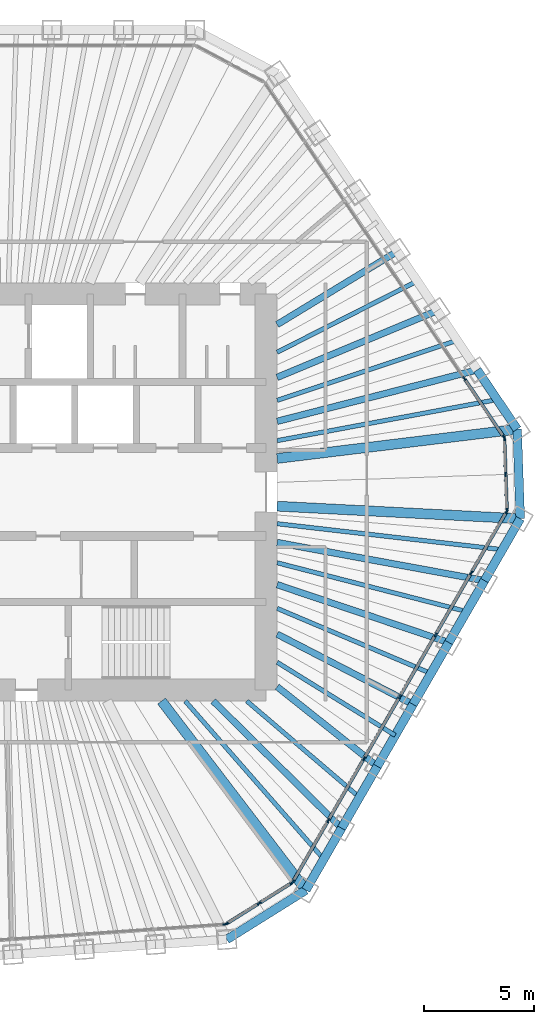
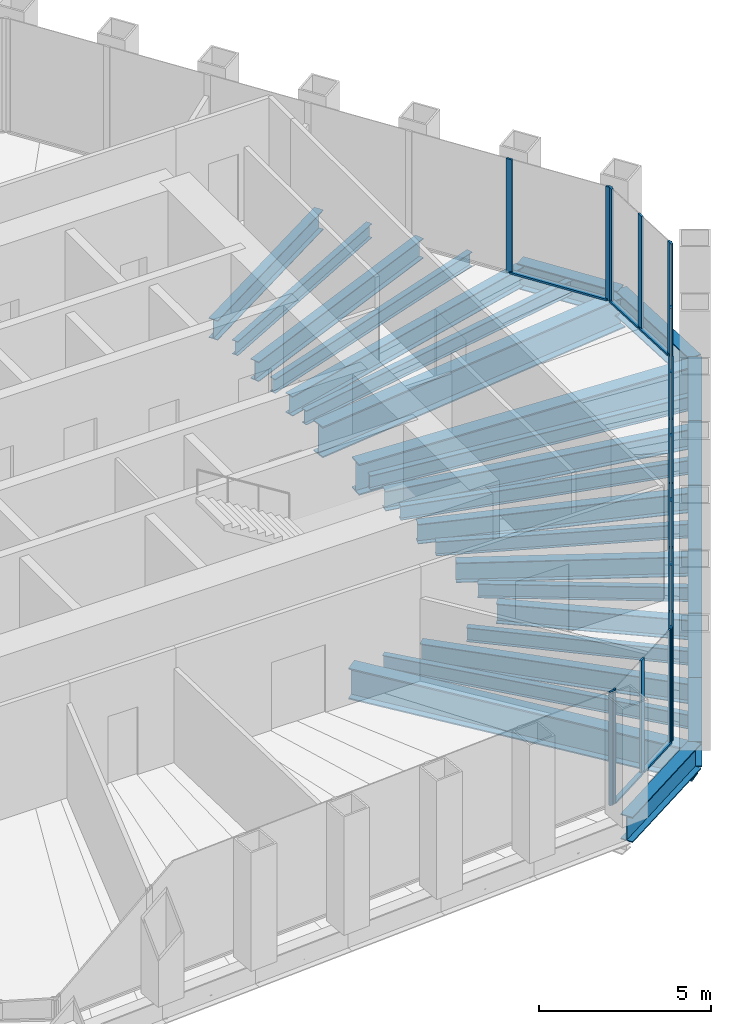
# One storey, part 5 of 14: 29 beams, 27 members, 5 elements without a shape of their own.
"""IFC4 building model written with IfcOpenShell, lengths in metres."""

from ifc_helpers import new_model, si_unit, direction, frame, origin, origin_2d, place, context, subcontext, project, spatial, rectangle, i_section, extrude, material, material_profile, profile_set, type_object, element, aggregate, save


model = new_model("IFC4")

# Units and contexts
model_context = context("Model", 3, precision=1e-05, world=origin(), true_north=direction((0.0, 1.0)))
body_context = subcontext(model_context, "Body", "Model", "MODEL_VIEW")
ifc_project = project(units=[si_unit("LENGTHUNIT", "METRE"), si_unit("AREAUNIT", "SQUARE_METRE"), si_unit("VOLUMEUNIT", "CUBIC_METRE"), si_unit("PLANEANGLEUNIT", "RADIAN"), si_unit("MASSUNIT", "GRAM", prefix="KILO")], contexts=[model_context])

# Site, building, storey
site_placement = place(None, origin())
site = spatial("IfcSite", under=ifc_project, at=site_placement, CompositionType="ELEMENT")
building_placement = place(site_placement, origin())
building = spatial("IfcBuilding", under=site, at=building_placement, Name="Qingtian Harvest Tower", CompositionType="ELEMENT")
storey_placement = place(building_placement, frame((0.0, 0.0, 291.39990234375)))
storey = spatial("IfcBuildingStorey", under=building, at=storey_placement, Name="L64", CompositionType="ELEMENT", Elevation=291.39990234375)

# Beams
ifc_material_1 = material(Name="Steel SM570MC", Category="steel")
ifc_material_profile_1 = material_profile(ifc_material_1, i_section(OverallWidth=0.449951171875, OverallDepth=1.10009765625, WebThickness=0.02197265625, FlangeThickness=0.044921875, at=origin_2d()), Name="H1100x450x22x45")
ifc_profile_set_1 = profile_set([ifc_material_profile_1], Name="Steel SM570MC")
beam_type_1 = type_object("IfcBeamType", Name="Corner floor beam FB8 H1100x450x22x45", PredefinedType="BEAM", material=ifc_profile_set_1)
beam_1_placement = place(storey_placement, frame((23.405517578125, 2.85400390625, -0.719970703125), z_axis=(-0.99264704984, -0.12104476215, 0.0), x_axis=(0.12104476215, -0.99264704984, 0.0)))
element("IfcBeam", 1, at=beam_1_placement, inside=storey, type_object=beam_type_1, Name="Floor beam FB8 NE6", PredefinedType="BEAM", context=body_context, shape_type="SweptSolid", body=[
    extrude(i_section(OverallWidth=0.449951171875, OverallDepth=1.10009765625, WebThickness=0.02197265625, FlangeThickness=0.044921875, at=origin_2d()), origin(), (0.0, 0.0, 1.0), 10.986328125),
])
beam_2_placement = place(storey_placement, frame((23.547607421875, -1.21435546875, -0.719970703125), z_axis=(-0.998672453152, 0.051510497131, 0.0), x_axis=(-0.051510497131, -0.998672453152, 0.0)))
element("IfcBeam", 2, at=beam_2_placement, inside=storey, type_object=beam_type_1, Name="Floor beam FB8 SE0", PredefinedType="BEAM", context=body_context, shape_type="SweptSolid", body=[
    extrude(i_section(OverallWidth=0.449951171875, OverallDepth=1.10009765625, WebThickness=0.02197265625, FlangeThickness=0.044921875, at=origin_2d()), origin(), (0.0, 0.0, 1.0), 11.062255859375),
])
beam_3_placement = place(storey_placement, frame((13.803466796875, -18.091552734375, -0.719970703125), z_axis=(-0.60658352266, 0.795019767073, 0.0), x_axis=(-0.795019767073, -0.60658352266, 0.0)))
element("IfcBeam", 3, at=beam_3_placement, inside=storey, type_object=beam_type_1, Name="Floor beam FB8 SE6", PredefinedType="BEAM", context=body_context, shape_type="SweptSolid", body=[
    extrude(i_section(OverallWidth=0.449951171875, OverallDepth=1.10009765625, WebThickness=0.02197265625, FlangeThickness=0.044921875, at=origin_2d()), origin(), (0.0, 0.0, 1.0), 10.806640625),
])
ifc_material_2 = material(Name="Steel SN490B", Category="steel")
ifc_material_profile_2 = material_profile(ifc_material_2, i_section(OverallWidth=0.300048828125, OverallDepth=0.699951171875, WebThickness=0.012939453125, FlangeThickness=0.02392578125, at=origin_2d()), Name="H700x300x13x24")
ifc_profile_set_2 = profile_set([ifc_material_profile_2], Name="Steel SN490B")
beam_type_2 = type_object("IfcBeamType", Name="Floor beam FB4 H700x300x13x24", PredefinedType="BEAM", material=ifc_profile_set_2)
beam_4_placement = place(storey_placement, frame((17.956787109375, 10.93212890625, -0.52001953125), z_axis=(-0.854163869478, -0.520003926983, 0.0), x_axis=(0.520003926983, -0.854163869478, 0.0)))
element("IfcBeam", 4, at=beam_4_placement, inside=storey, type_object=beam_type_2, Name="Floor beam FB4 NE3", PredefinedType="BEAM", context=body_context, shape_type="SweptSolid", body=[
    extrude(i_section(OverallWidth=0.300048828125, OverallDepth=0.699951171875, WebThickness=0.012939453125, FlangeThickness=0.02392578125, at=origin_2d()), origin(), (0.0, 0.0, 1.0), 6.388427734375),
])
beam_5_placement = place(storey_placement, frame((19.77294921875, 8.2392578125, -0.52001953125), z_axis=(-0.923071422518, -0.38462858569, 0.0), x_axis=(0.38462858569, -0.923071422518, 0.0)))
element("IfcBeam", 5, at=beam_5_placement, inside=storey, type_object=beam_type_2, Name="Floor beam FB4 NE4", PredefinedType="BEAM", context=body_context, shape_type="SweptSolid", body=[
    extrude(i_section(OverallWidth=0.300048828125, OverallDepth=0.699951171875, WebThickness=0.012939453125, FlangeThickness=0.02392578125, at=origin_2d()), origin(), (0.0, 0.0, 1.0), 7.879150390625),
])
beam_6_placement = place(storey_placement, frame((21.58935546875, 5.546630859375, -0.52001953125), z_axis=(-0.968545797703, -0.248835362746, 0.0), x_axis=(0.248835362746, -0.968545797703, 0.0)))
element("IfcBeam", 6, at=beam_6_placement, inside=storey, type_object=beam_type_2, Name="Floor beam FB4 NE5", PredefinedType="BEAM", context=body_context, shape_type="SweptSolid", body=[
    extrude(i_section(OverallWidth=0.300048828125, OverallDepth=0.699951171875, WebThickness=0.012939453125, FlangeThickness=0.02392578125, at=origin_2d()), origin(), (0.0, 0.0, 1.0), 9.384521484375),
])
beam_7_placement = place(storey_placement, frame((21.923583984375, -4.027099609375, -0.52001953125), z_axis=(-0.983545410638, 0.180661078303, 0.0), x_axis=(-0.180661078303, -0.983545410638, 0.0)))
element("IfcBeam", 7, at=beam_7_placement, inside=storey, type_object=beam_type_2, Name="Floor beam FB4 SE1", PredefinedType="BEAM", context=body_context, shape_type="SweptSolid", body=[
    extrude(i_section(OverallWidth=0.300048828125, OverallDepth=0.699951171875, WebThickness=0.012939453125, FlangeThickness=0.02392578125, at=origin_2d()), origin(), (0.0, 0.0, 1.0), 9.581298828125),
])
beam_8_placement = place(storey_placement, frame((20.299560546875, -6.840087890625, -0.52001953125), z_axis=(-0.947645968799, 0.319322905253, 0.0), x_axis=(-0.319322905253, -0.947645968799, 0.0)))
element("IfcBeam", 8, at=beam_8_placement, inside=storey, type_object=beam_type_2, Name="Floor beam FB4 SE2", PredefinedType="BEAM", context=body_context, shape_type="SweptSolid", body=[
    extrude(i_section(OverallWidth=0.300048828125, OverallDepth=0.699951171875, WebThickness=0.012939453125, FlangeThickness=0.02392578125, at=origin_2d()), origin(), (0.0, 0.0, 1.0), 8.23046875),
])
beam_9_placement = place(storey_placement, frame((18.675537109375, -9.65283203125, -0.52001953125), z_axis=(-0.888355479692, 0.459156336884, 0.0), x_axis=(-0.459156336884, -0.888355479692, 0.0)))
element("IfcBeam", 9, at=beam_9_placement, inside=storey, type_object=beam_type_2, Name="Floor beam FB4 SE3", PredefinedType="BEAM", context=body_context, shape_type="SweptSolid", body=[
    extrude(i_section(OverallWidth=0.300048828125, OverallDepth=0.699951171875, WebThickness=0.012939453125, FlangeThickness=0.02392578125, at=origin_2d()), origin(), (0.0, 0.0, 1.0), 6.95166015625),
])
beam_10_placement = place(storey_placement, frame((17.051513671875, -12.4658203125, -0.52001953125), z_axis=(-0.783003151269, 0.622017736968, 0.0), x_axis=(-0.622017736968, -0.783003151269, 0.0)))
element("IfcBeam", 10, at=beam_10_placement, inside=storey, type_object=beam_type_2, Name="Floor beam FB4 SE4", PredefinedType="BEAM", context=body_context, shape_type="SweptSolid", body=[
    extrude(i_section(OverallWidth=0.300048828125, OverallDepth=0.699951171875, WebThickness=0.012939453125, FlangeThickness=0.02392578125, at=origin_2d()), origin(), (0.0, 0.0, 1.0), 5.81298828125),
])
beam_11_placement = place(storey_placement, frame((15.427490234375, -15.278564453125, -0.52001953125), z_axis=(-0.710532187344, 0.703664700513, 0.0), x_axis=(-0.703664700513, -0.710532187344, 0.0)))
element("IfcBeam", 11, at=beam_11_placement, inside=storey, type_object=beam_type_2, Name="Floor beam FB4 SE5", PredefinedType="BEAM", context=body_context, shape_type="SweptSolid", body=[
    extrude(i_section(OverallWidth=0.300048828125, OverallDepth=0.699951171875, WebThickness=0.012939453125, FlangeThickness=0.02392578125, at=origin_2d()), origin(), (0.0, 0.0, 1.0), 8.212158203125),
])
ifc_material_3 = material(Name="Steel SN490B", Category="steel")
ifc_material_profile_3 = material_profile(ifc_material_3, i_section(OverallWidth=0.199951171875, OverallDepth=0.5, WebThickness=0.010009765625, FlangeThickness=0.01611328125, at=origin_2d()), Name="H500x200x10x16")
ifc_profile_set_3 = profile_set([ifc_material_profile_3], Name="Steel SN490B")
beam_type_3 = type_object("IfcBeamType", Name="Floor joist J3 H500x200x10x16", PredefinedType="JOIST", material=ifc_profile_set_3)
beam_12_placement = place(storey_placement, frame((18.864990234375, 9.585693359375, -0.419921875), z_axis=(-0.891515522375, -0.452990147094, 0.0), x_axis=(0.452990147094, -0.891515522375, 0.0)))
element("IfcBeam", 12, at=beam_12_placement, inside=storey, type_object=beam_type_3, Name="Floor joist J3 NE3", PredefinedType="JOIST", context=body_context, shape_type="SweptSolid", body=[
    extrude(i_section(OverallWidth=0.199951171875, OverallDepth=0.5, WebThickness=0.010009765625, FlangeThickness=0.01611328125, at=origin_2d()), origin(), (0.0, 0.0, 1.0), 7.139404296875),
])
beam_13_placement = place(storey_placement, frame((20.68115234375, 6.89306640625, -0.419921875), z_axis=(-0.94869179092, -0.316202286267, 0.0), x_axis=(0.316202286267, -0.94869179092, 0.0)))
element("IfcBeam", 13, at=beam_13_placement, inside=storey, type_object=beam_type_3, Name="Floor joist J3 NE4", PredefinedType="JOIST", context=body_context, shape_type="SweptSolid", body=[
    extrude(i_section(OverallWidth=0.199951171875, OverallDepth=0.5, WebThickness=0.010009765625, FlangeThickness=0.01611328125, at=origin_2d()), origin(), (0.0, 0.0, 1.0), 8.62353515625),
])
beam_14_placement = place(storey_placement, frame((22.49755859375, 4.2001953125, -0.419921875), z_axis=(-0.983015918388, -0.183520310038, 0.0), x_axis=(0.183520310038, -0.983015918388, 0.0)))
element("IfcBeam", 14, at=beam_14_placement, inside=storey, type_object=beam_type_3, Name="Floor joist J3 NE5", PredefinedType="JOIST", context=body_context, shape_type="SweptSolid", body=[
    extrude(i_section(OverallWidth=0.199951171875, OverallDepth=0.5, WebThickness=0.010009765625, FlangeThickness=0.01611328125, at=origin_2d()), origin(), (0.0, 0.0, 1.0), 10.17041015625),
])
beam_15_placement = place(storey_placement, frame((22.735595703125, -2.62060546875, -0.419921875), z_axis=(-0.993423767351, 0.114495495381, 0.0), x_axis=(-0.114495495381, -0.993423767351, 0.0)))
element("IfcBeam", 15, at=beam_15_placement, inside=storey, type_object=beam_type_3, Name="Floor joist J3 SE0", PredefinedType="JOIST", context=body_context, shape_type="SweptSolid", body=[
    extrude(i_section(OverallWidth=0.199951171875, OverallDepth=0.5, WebThickness=0.010009765625, FlangeThickness=0.01611328125, at=origin_2d()), origin(), (0.0, 0.0, 1.0), 10.303466796875),
])
beam_16_placement = place(storey_placement, frame((21.111572265625, -5.43359375, -0.419921875), z_axis=(-0.968434631662, 0.249267655738, 0.0), x_axis=(-0.249267655738, -0.968434631662, 0.0)))
element("IfcBeam", 16, at=beam_16_placement, inside=storey, type_object=beam_type_3, Name="Floor joist J3 SE1", PredefinedType="JOIST", context=body_context, shape_type="SweptSolid", body=[
    extrude(i_section(OverallWidth=0.199951171875, OverallDepth=0.5, WebThickness=0.010009765625, FlangeThickness=0.01611328125, at=origin_2d()), origin(), (0.0, 0.0, 1.0), 8.892333984375),
])
beam_17_placement = place(storey_placement, frame((19.487548828125, -8.246337890625, -0.419921875), z_axis=(-0.920942823677, 0.389697723265, 0.0), x_axis=(-0.389697723265, -0.920942823677, 0.0)))
element("IfcBeam", 17, at=beam_17_placement, inside=storey, type_object=beam_type_3, Name="Floor joist J3 SE2", PredefinedType="JOIST", context=body_context, shape_type="SweptSolid", body=[
    extrude(i_section(OverallWidth=0.199951171875, OverallDepth=0.5, WebThickness=0.010009765625, FlangeThickness=0.01611328125, at=origin_2d()), origin(), (0.0, 0.0, 1.0), 7.58740234375),
])
beam_18_placement = place(storey_placement, frame((17.863525390625, -11.059326171875, -0.419921875), z_axis=(-0.850245350939, 0.52638659102, 0.0), x_axis=(-0.52638659102, -0.850245350939, 0.0)))
element("IfcBeam", 18, at=beam_18_placement, inside=storey, type_object=beam_type_3, Name="Floor joist J3 SE3", PredefinedType="JOIST", context=body_context, shape_type="SweptSolid", body=[
    extrude(i_section(OverallWidth=0.199951171875, OverallDepth=0.5, WebThickness=0.010009765625, FlangeThickness=0.01611328125, at=origin_2d()), origin(), (0.0, 0.0, 1.0), 6.30810546875),
])
beam_19_placement = place(storey_placement, frame((16.239501953125, -13.8720703125, -0.419921875), z_axis=(-0.760351288112, 0.649512061987, 0.0), x_axis=(-0.649512061987, -0.760351288112, 0.0)))
element("IfcBeam", 19, at=beam_19_placement, inside=storey, type_object=beam_type_3, Name="Floor joist J3 SE4", PredefinedType="JOIST", context=body_context, shape_type="SweptSolid", body=[
    extrude(i_section(OverallWidth=0.199951171875, OverallDepth=0.5, WebThickness=0.010009765625, FlangeThickness=0.01611328125, at=origin_2d()), origin(), (0.0, 0.0, 1.0), 6.731201171875),
])
beam_20_placement = place(storey_placement, frame((14.615478515625, -16.68505859375, -0.419921875), z_axis=(-0.658906232771, 0.752225083612, 0.0), x_axis=(-0.752225083612, -0.658906232771, 0.0)))
element("IfcBeam", 20, at=beam_20_placement, inside=storey, type_object=beam_type_3, Name="Floor joist J3 SE5", PredefinedType="JOIST", context=body_context, shape_type="SweptSolid", body=[
    extrude(i_section(OverallWidth=0.199951171875, OverallDepth=0.5, WebThickness=0.010009765625, FlangeThickness=0.01611328125, at=origin_2d()), origin(), (0.0, 0.0, 1.0), 9.5517578125),
])

# Curtain wall, members
ifc_material_4 = material(Name="Bronze-anodised aluminium curtain wall", Category="aluminium")
curtain_wall_type = type_object("IfcCurtainWallType", Name="Curtain wall CW5 upper office", PredefinedType="USERDEFINED", material=ifc_material_4)
curtain_wall_1_placement = place(storey_placement, origin())
curtain_wall_1 = element("IfcCurtainWall", 21, at=curtain_wall_1_placement, inside=storey, type_object=curtain_wall_type, Name="Curtain wall CW5 L64 NE0-5", ObjectType="RECESSED CURTAIN WALL", PredefinedType="USERDEFINED")
ifc_material_5 = material(Name="Bronze-anodised aluminium mullion", Category="aluminium")
ifc_material_profile_4 = material_profile(ifc_material_5, rectangle(XDim=0.06494140625, YDim=0.199951171875, at=origin_2d()), Name="AL 65x200")
ifc_profile_set_4 = profile_set([ifc_material_profile_4], Name="Bronze-anodised aluminium mullion")
member_type_1 = type_object("IfcMemberType", Name="Mullion CWM 65x200", PredefinedType="MULLION", material=ifc_profile_set_4)
member_1_placement = place(storey_placement, frame((21.009033203125, 5.1552734375, 0.0), z_axis=(0.0, 0.0, 1.0), x_axis=(0.829037572555, 0.559192903471, 0.0)))
member_1 = element("IfcMember", 22, at=member_1_placement, type_object=member_type_1, Name="CW5 mullion 6", PredefinedType="MULLION", context=body_context, shape_type="SweptSolid", body=[
    extrude(rectangle(XDim=0.06494140625, YDim=0.199951171875, at=origin_2d()), origin(), (0.0, 0.0, 1.0), 4.030029296875),
])
member_2_placement = place(storey_placement, frame((22.80712890625, 2.489501953125, 0.0), z_axis=(0.0, 0.0, 1.0), x_axis=(0.829037572555, 0.559192903471, 0.0)))
member_2 = element("IfcMember", 23, at=member_2_placement, type_object=member_type_1, Name="CW5 mullion 7", PredefinedType="MULLION", context=body_context, shape_type="SweptSolid", body=[
    extrude(rectangle(XDim=0.06494140625, YDim=0.199951171875, at=origin_2d()), origin(), (0.0, 0.0, 1.0), 4.030029296875),
])

curtain_wall_2_placement = place(storey_placement, origin())
curtain_wall_2 = element("IfcCurtainWall", 24, at=curtain_wall_2_placement, inside=storey, type_object=curtain_wall_type, Name="Curtain wall CW5 L64 NEC", ObjectType="RECESSED CURTAIN WALL", PredefinedType="USERDEFINED")
member_3_placement = place(storey_placement, frame((22.826416015625, 2.429931640625, 0.0), z_axis=(0.0, 0.0, 1.0), x_axis=(0.999390827019, 0.034899496703, 0.0)))
member_3 = element("IfcMember", 25, at=member_3_placement, type_object=member_type_1, Name="CW5 mullion 1", PredefinedType="MULLION", context=body_context, shape_type="SweptSolid", body=[
    extrude(rectangle(XDim=0.06494140625, YDim=0.199951171875, at=origin_2d()), origin(), (0.0, 0.0, 1.0), 4.030029296875),
])
member_4_placement = place(storey_placement, frame((22.88330078125, 0.799072265625, 0.0), z_axis=(0.0, 0.0, 1.0), x_axis=(0.999390827019, 0.034899496703, 0.0)))
member_4 = element("IfcMember", 26, at=member_4_placement, type_object=member_type_1, Name="CW5 mullion 2", PredefinedType="MULLION", context=body_context, shape_type="SweptSolid", body=[
    extrude(rectangle(XDim=0.06494140625, YDim=0.199951171875, at=origin_2d()), origin(), (0.0, 0.0, 1.0), 4.030029296875),
])
member_5_placement = place(storey_placement, frame((22.9404296875, -0.831787109375, 0.0), z_axis=(0.0, 0.0, 1.0), x_axis=(0.999390827019, 0.034899496703, 0.0)))
member_5 = element("IfcMember", 27, at=member_5_placement, type_object=member_type_1, Name="CW5 mullion 3", PredefinedType="MULLION", context=body_context, shape_type="SweptSolid", body=[
    extrude(rectangle(XDim=0.06494140625, YDim=0.199951171875, at=origin_2d()), origin(), (0.0, 0.0, 1.0), 4.030029296875),
])

curtain_wall_3_placement = place(storey_placement, origin())
curtain_wall_3 = element("IfcCurtainWall", 28, at=curtain_wall_3_placement, inside=storey, type_object=curtain_wall_type, Name="Curtain wall CW5 L64 SE0-5", ObjectType="RECESSED CURTAIN WALL", PredefinedType="USERDEFINED")
member_6_placement = place(storey_placement, frame((22.92529296875, -0.892333984375, 0.0), z_axis=(0.0, 0.0, 1.0), x_axis=(0.866025403784, -0.5, 0.0)))
member_6 = element("IfcMember", 29, at=member_6_placement, type_object=member_type_1, Name="CW5 mullion 1", PredefinedType="MULLION", context=body_context, shape_type="SweptSolid", body=[
    extrude(rectangle(XDim=0.06494140625, YDim=0.199951171875, at=origin_2d()), origin(), (0.0, 0.0, 1.0), 4.030029296875),
])
member_7_placement = place(storey_placement, frame((21.3173828125, -3.67724609375, 0.0), z_axis=(0.0, 0.0, 1.0), x_axis=(0.866025403784, -0.5, 0.0)))
member_7 = element("IfcMember", 30, at=member_7_placement, type_object=member_type_1, Name="CW5 mullion 2", PredefinedType="MULLION", context=body_context, shape_type="SweptSolid", body=[
    extrude(rectangle(XDim=0.06494140625, YDim=0.199951171875, at=origin_2d()), origin(), (0.0, 0.0, 1.0), 4.030029296875),
])
member_8_placement = place(storey_placement, frame((19.693359375, -6.489990234375, 0.0), z_axis=(0.0, 0.0, 1.0), x_axis=(0.866025403784, -0.5, 0.0)))
member_8 = element("IfcMember", 31, at=member_8_placement, type_object=member_type_1, Name="CW5 mullion 3", PredefinedType="MULLION", context=body_context, shape_type="SweptSolid", body=[
    extrude(rectangle(XDim=0.06494140625, YDim=0.199951171875, at=origin_2d()), origin(), (0.0, 0.0, 1.0), 4.030029296875),
])
member_9_placement = place(storey_placement, frame((18.0693359375, -9.302978515625, 0.0), z_axis=(0.0, 0.0, 1.0), x_axis=(0.866025403784, -0.5, 0.0)))
member_9 = element("IfcMember", 32, at=member_9_placement, type_object=member_type_1, Name="CW5 mullion 4", PredefinedType="MULLION", context=body_context, shape_type="SweptSolid", body=[
    extrude(rectangle(XDim=0.06494140625, YDim=0.199951171875, at=origin_2d()), origin(), (0.0, 0.0, 1.0), 4.030029296875),
])
member_10_placement = place(storey_placement, frame((16.4453125, -12.11572265625, 0.0), z_axis=(0.0, 0.0, 1.0), x_axis=(0.866025403784, -0.5, 0.0)))
member_10 = element("IfcMember", 33, at=member_10_placement, type_object=member_type_1, Name="CW5 mullion 5", PredefinedType="MULLION", context=body_context, shape_type="SweptSolid", body=[
    extrude(rectangle(XDim=0.06494140625, YDim=0.199951171875, at=origin_2d()), origin(), (0.0, 0.0, 1.0), 4.030029296875),
])
member_11_placement = place(storey_placement, frame((14.8212890625, -14.9287109375, 0.0), z_axis=(0.0, 0.0, 1.0), x_axis=(0.866025403784, -0.5, 0.0)))
member_11 = element("IfcMember", 34, at=member_11_placement, type_object=member_type_1, Name="CW5 mullion 6", PredefinedType="MULLION", context=body_context, shape_type="SweptSolid", body=[
    extrude(rectangle(XDim=0.06494140625, YDim=0.199951171875, at=origin_2d()), origin(), (0.0, 0.0, 1.0), 4.030029296875),
])
member_12_placement = place(storey_placement, frame((13.213623046875, -17.71337890625, 0.0), z_axis=(0.0, 0.0, 1.0), x_axis=(0.866025403784, -0.5, 0.0)))
member_12 = element("IfcMember", 35, at=member_12_placement, type_object=member_type_1, Name="CW5 mullion 7", PredefinedType="MULLION", context=body_context, shape_type="SweptSolid", body=[
    extrude(rectangle(XDim=0.06494140625, YDim=0.199951171875, at=origin_2d()), origin(), (0.0, 0.0, 1.0), 4.030029296875),
])

curtain_wall_4_placement = place(storey_placement, origin())
curtain_wall_4 = element("IfcCurtainWall", 36, at=curtain_wall_4_placement, inside=storey, type_object=curtain_wall_type, Name="Curtain wall CW5 L64 SEC", ObjectType="RECESSED CURTAIN WALL", PredefinedType="USERDEFINED")
member_13_placement = place(storey_placement, frame((13.169921875, -17.7587890625, 0.0), z_axis=(0.0, 0.0, 1.0), x_axis=(0.529919264233, -0.848048096156, 0.0)))
member_13 = element("IfcMember", 37, at=member_13_placement, type_object=member_type_1, Name="CW5 mullion 1", PredefinedType="MULLION", context=body_context, shape_type="SweptSolid", body=[
    extrude(rectangle(XDim=0.06494140625, YDim=0.199951171875, at=origin_2d()), origin(), (0.0, 0.0, 1.0), 4.030029296875),
])
member_14_placement = place(storey_placement, frame((11.678955078125, -18.690185546875, 0.0), z_axis=(0.0, 0.0, 1.0), x_axis=(0.529919264233, -0.848048096156, 0.0)))
member_14 = element("IfcMember", 38, at=member_14_placement, type_object=member_type_1, Name="CW5 mullion 2", PredefinedType="MULLION", context=body_context, shape_type="SweptSolid", body=[
    extrude(rectangle(XDim=0.06494140625, YDim=0.199951171875, at=origin_2d()), origin(), (0.0, 0.0, 1.0), 4.030029296875),
])
member_15_placement = place(storey_placement, frame((10.188232421875, -19.621826171875, 0.0), z_axis=(0.0, 0.0, 1.0), x_axis=(0.529919264233, -0.848048096156, 0.0)))
member_15 = element("IfcMember", 39, at=member_15_placement, type_object=member_type_1, Name="CW5 mullion 3", PredefinedType="MULLION", context=body_context, shape_type="SweptSolid", body=[
    extrude(rectangle(XDim=0.06494140625, YDim=0.199951171875, at=origin_2d()), origin(), (0.0, 0.0, 1.0), 4.030029296875),
])

# Curtain wall, member
curtain_wall_5_placement = place(storey_placement, origin())
curtain_wall_5 = element("IfcCurtainWall", 40, at=curtain_wall_5_placement, inside=storey, type_object=curtain_wall_type, Name="Curtain wall CW5 L64 S0-5", ObjectType="RECESSED CURTAIN WALL", PredefinedType="USERDEFINED")
member_16_placement = place(storey_placement, frame((10.128173828125, -19.641357421875, 0.0), z_axis=(0.0, 0.0, 1.0), x_axis=(0.069756473744, -0.99756405026, 0.0)))
member_16 = element("IfcMember", 41, at=member_16_placement, type_object=member_type_1, Name="CW5 mullion 1", PredefinedType="MULLION", context=body_context, shape_type="SweptSolid", body=[
    extrude(rectangle(XDim=0.06494140625, YDim=0.199951171875, at=origin_2d()), origin(), (0.0, 0.0, 1.0), 4.030029296875),
])
aggregate(curtain_wall_5, [member_16])

# Beams
ifc_material_6 = material(Name="Steel SN490B", Category="steel")
ifc_material_profile_5 = material_profile(ifc_material_6, i_section(OverallWidth=0.39990234375, OverallDepth=0.89990234375, WebThickness=0.01904296875, FlangeThickness=0.035888671875, at=origin_2d()), Name="H900x400x19x36")
ifc_profile_set_5 = profile_set([ifc_material_profile_5], Name="Steel SN490B")
beam_type_4 = type_object("IfcBeamType", Name="Spandrel beam SB4 H900x400x19x36", PredefinedType="SPANDREL", material=ifc_profile_set_5)
beam_21_placement = place(storey_placement, frame((21.58935546875, 5.546630859375, -0.449951171875), z_axis=(0.559184924833, -0.829042954158, 0.0), x_axis=(0.829042954158, 0.559184924833, 0.0)))
element("IfcBeam", 42, at=beam_21_placement, inside=storey, type_object=beam_type_4, Name="Spandrel SB4 NE5", PredefinedType="SPANDREL", context=body_context, shape_type="SweptSolid", body=[
    extrude(i_section(OverallWidth=0.39990234375, OverallDepth=0.89990234375, WebThickness=0.01904296875, FlangeThickness=0.035888671875, at=origin_2d()), origin(), (0.0, 0.0, 1.0), 3.247802734375),
])
beam_22_placement = place(storey_placement, frame((23.405517578125, 2.85400390625, -0.449951171875), z_axis=(0.034904306503, -0.999390659046, 0.0), x_axis=(0.999390659046, 0.034904306503, 0.0)))
element("IfcBeam", 43, at=beam_22_placement, inside=storey, type_object=beam_type_4, Name="Spandrel SB4 NEC", PredefinedType="SPANDREL", context=body_context, shape_type="SweptSolid", body=[
    extrude(i_section(OverallWidth=0.39990234375, OverallDepth=0.89990234375, WebThickness=0.01904296875, FlangeThickness=0.035888671875, at=origin_2d()), origin(), (0.0, 0.0, 1.0), 4.07080078125),
])
beam_23_placement = place(storey_placement, frame((23.547607421875, -1.21435546875, -0.449951171875), z_axis=(-0.500019593356, -0.866014091259, 0.0), x_axis=(0.866014091259, -0.500019593356, 0.0)))
element("IfcBeam", 44, at=beam_23_placement, inside=storey, type_object=beam_type_4, Name="Spandrel SB4 SE0", PredefinedType="SPANDREL", context=body_context, shape_type="SweptSolid", body=[
    extrude(i_section(OverallWidth=0.39990234375, OverallDepth=0.89990234375, WebThickness=0.01904296875, FlangeThickness=0.035888671875, at=origin_2d()), origin(), (0.0, 0.0, 1.0), 3.247802734375),
])
beam_24_placement = place(storey_placement, frame((21.923583984375, -4.027099609375, -0.449951171875), z_axis=(-0.499987045439, -0.866032882975, 0.0), x_axis=(0.866032882975, -0.499987045439, 0.0)))
element("IfcBeam", 45, at=beam_24_placement, inside=storey, type_object=beam_type_4, Name="Spandrel SB4 SE1", PredefinedType="SPANDREL", context=body_context, shape_type="SweptSolid", body=[
    extrude(i_section(OverallWidth=0.39990234375, OverallDepth=0.89990234375, WebThickness=0.01904296875, FlangeThickness=0.035888671875, at=origin_2d()), origin(), (0.0, 0.0, 1.0), 3.248046875),
])
beam_25_placement = place(storey_placement, frame((20.299560546875, -6.840087890625, -0.449951171875), z_axis=(-0.500019593356, -0.866014091259, 0.0), x_axis=(0.866014091259, -0.500019593356, 0.0)))
element("IfcBeam", 46, at=beam_25_placement, inside=storey, type_object=beam_type_4, Name="Spandrel SB4 SE2", PredefinedType="SPANDREL", context=body_context, shape_type="SweptSolid", body=[
    extrude(i_section(OverallWidth=0.39990234375, OverallDepth=0.89990234375, WebThickness=0.01904296875, FlangeThickness=0.035888671875, at=origin_2d()), origin(), (0.0, 0.0, 1.0), 3.247802734375),
])
beam_26_placement = place(storey_placement, frame((18.675537109375, -9.65283203125, -0.449951171875), z_axis=(-0.499987045439, -0.866032882975, 0.0), x_axis=(0.866032882975, -0.499987045439, 0.0)))
element("IfcBeam", 47, at=beam_26_placement, inside=storey, type_object=beam_type_4, Name="Spandrel SB4 SE3", PredefinedType="SPANDREL", context=body_context, shape_type="SweptSolid", body=[
    extrude(i_section(OverallWidth=0.39990234375, OverallDepth=0.89990234375, WebThickness=0.01904296875, FlangeThickness=0.035888671875, at=origin_2d()), origin(), (0.0, 0.0, 1.0), 3.248046875),
])
beam_27_placement = place(storey_placement, frame((17.051513671875, -12.4658203125, -0.449951171875), z_axis=(-0.500019593356, -0.866014091259, 0.0), x_axis=(0.866014091259, -0.500019593356, 0.0)))
element("IfcBeam", 48, at=beam_27_placement, inside=storey, type_object=beam_type_4, Name="Spandrel SB4 SE4", PredefinedType="SPANDREL", context=body_context, shape_type="SweptSolid", body=[
    extrude(i_section(OverallWidth=0.39990234375, OverallDepth=0.89990234375, WebThickness=0.01904296875, FlangeThickness=0.035888671875, at=origin_2d()), origin(), (0.0, 0.0, 1.0), 3.247802734375),
])
beam_28_placement = place(storey_placement, frame((15.427490234375, -15.278564453125, -0.449951171875), z_axis=(-0.499987045439, -0.866032882975, 0.0), x_axis=(0.866032882975, -0.499987045439, 0.0)))
element("IfcBeam", 49, at=beam_28_placement, inside=storey, type_object=beam_type_4, Name="Spandrel SB4 SE5", PredefinedType="SPANDREL", context=body_context, shape_type="SweptSolid", body=[
    extrude(i_section(OverallWidth=0.39990234375, OverallDepth=0.89990234375, WebThickness=0.01904296875, FlangeThickness=0.035888671875, at=origin_2d()), origin(), (0.0, 0.0, 1.0), 3.248046875),
])
beam_29_placement = place(storey_placement, frame((13.803466796875, -18.091552734375, -0.449951171875), z_axis=(-0.848040374245, -0.529931621675, 0.0), x_axis=(0.529931621675, -0.848040374245, 0.0)))
element("IfcBeam", 50, at=beam_29_placement, inside=storey, type_object=beam_type_4, Name="Spandrel SB4 SEC", PredefinedType="SPANDREL", context=body_context, shape_type="SweptSolid", body=[
    extrude(i_section(OverallWidth=0.39990234375, OverallDepth=0.89990234375, WebThickness=0.01904296875, FlangeThickness=0.035888671875, at=origin_2d()), origin(), (0.0, 0.0, 1.0), 4.238037109375),
])

# Member
ifc_material_7 = material(Name="Bronze-anodised aluminium transom", Category="aluminium")
ifc_material_profile_6 = material_profile(ifc_material_7, rectangle(XDim=0.14990234375, YDim=0.06494140625, at=origin_2d()), Name="AL 65x150")
ifc_profile_set_6 = profile_set([ifc_material_profile_6], Name="Bronze-anodised aluminium transom")
member_type_2 = type_object("IfcMemberType", Name="Transom CWT 65x150", PredefinedType="USERDEFINED", material=ifc_profile_set_6)
member_17_placement = place(storey_placement, frame((21.027099609375, 5.128173828125, 0.03271484375), z_axis=(0.559198649732, -0.829033696624, 0.0), x_axis=(0.829033696624, 0.559198649732, 0.0)))
member_17 = element("IfcMember", 51, at=member_17_placement, type_object=member_type_2, Name="CW5 transom 6.1", ObjectType="TRANSOM", PredefinedType="USERDEFINED", context=body_context, shape_type="SweptSolid", body=[
    extrude(rectangle(XDim=0.14990234375, YDim=0.06494140625, at=origin_2d()), origin(), (0.0, 0.0, 1.0), 3.150390625),
])

aggregate(curtain_wall_1, [member_1, member_2, member_17])

member_18_placement = place(storey_placement, frame((22.82763671875, 2.3974609375, 0.03271484375), z_axis=(0.034902326647, -0.999390728191, 0.0), x_axis=(0.999390728191, 0.034902326647, 0.0)))
member_18 = element("IfcMember", 52, at=member_18_placement, type_object=member_type_2, Name="CW5 transom 1.1", ObjectType="TRANSOM", PredefinedType="USERDEFINED", context=body_context, shape_type="SweptSolid", body=[
    extrude(rectangle(XDim=0.14990234375, YDim=0.06494140625, at=origin_2d()), origin(), (0.0, 0.0, 1.0), 1.56689453125),
])

member_19_placement = place(storey_placement, frame((22.884521484375, 0.7666015625, 0.03271484375), z_axis=(0.034902326647, -0.999390728191, 0.0), x_axis=(0.999390728191, 0.034902326647, 0.0)))
member_19 = element("IfcMember", 53, at=member_19_placement, type_object=member_type_2, Name="CW5 transom 2.1", ObjectType="TRANSOM", PredefinedType="USERDEFINED", context=body_context, shape_type="SweptSolid", body=[
    extrude(rectangle(XDim=0.14990234375, YDim=0.06494140625, at=origin_2d()), origin(), (0.0, 0.0, 1.0), 1.56689453125),
])

aggregate(curtain_wall_2, [member_3, member_4, member_5, member_18, member_19])

member_20_placement = place(storey_placement, frame((22.908935546875, -0.920654296875, 0.03271484375), z_axis=(-0.50000643655, -0.866021687608, 0.0), x_axis=(0.866021687608, -0.50000643655, 0.0)))
member_20 = element("IfcMember", 54, at=member_20_placement, type_object=member_type_2, Name="CW5 transom 1.1", ObjectType="TRANSOM", PredefinedType="USERDEFINED", context=body_context, shape_type="SweptSolid", body=[
    extrude(rectangle(XDim=0.14990234375, YDim=0.06494140625, at=origin_2d()), origin(), (0.0, 0.0, 1.0), 3.150390625),
])

member_21_placement = place(storey_placement, frame((21.30126953125, -3.705322265625, 0.03271484375), z_axis=(-0.5000079448, -0.866020816803, 0.0), x_axis=(0.866020816803, -0.5000079448, 0.0)))
member_21 = element("IfcMember", 55, at=member_21_placement, type_object=member_type_2, Name="CW5 transom 2.1", ObjectType="TRANSOM", PredefinedType="USERDEFINED", context=body_context, shape_type="SweptSolid", body=[
    extrude(rectangle(XDim=0.14990234375, YDim=0.06494140625, at=origin_2d()), origin(), (0.0, 0.0, 1.0), 3.18310546875),
])

member_22_placement = place(storey_placement, frame((19.67724609375, -6.51806640625, 0.03271484375), z_axis=(-0.5000079448, -0.866020816803, 0.0), x_axis=(0.866020816803, -0.5000079448, 0.0)))
member_22 = element("IfcMember", 56, at=member_22_placement, type_object=member_type_2, Name="CW5 transom 3.1", ObjectType="TRANSOM", PredefinedType="USERDEFINED", context=body_context, shape_type="SweptSolid", body=[
    extrude(rectangle(XDim=0.14990234375, YDim=0.06494140625, at=origin_2d()), origin(), (0.0, 0.0, 1.0), 3.18310546875),
])

member_23_placement = place(storey_placement, frame((18.05322265625, -9.3310546875, 0.03271484375), z_axis=(-0.5000079448, -0.866020816803, 0.0), x_axis=(0.866020816803, -0.5000079448, 0.0)))
member_23 = element("IfcMember", 57, at=member_23_placement, type_object=member_type_2, Name="CW5 transom 4.1", ObjectType="TRANSOM", PredefinedType="USERDEFINED", context=body_context, shape_type="SweptSolid", body=[
    extrude(rectangle(XDim=0.14990234375, YDim=0.06494140625, at=origin_2d()), origin(), (0.0, 0.0, 1.0), 3.18310546875),
])

member_24_placement = place(storey_placement, frame((16.42919921875, -12.143798828125, 0.03271484375), z_axis=(-0.5000079448, -0.866020816803, 0.0), x_axis=(0.866020816803, -0.5000079448, 0.0)))
member_24 = element("IfcMember", 58, at=member_24_placement, type_object=member_type_2, Name="CW5 transom 5.1", ObjectType="TRANSOM", PredefinedType="USERDEFINED", context=body_context, shape_type="SweptSolid", body=[
    extrude(rectangle(XDim=0.14990234375, YDim=0.06494140625, at=origin_2d()), origin(), (0.0, 0.0, 1.0), 3.18310546875),
])

member_25_placement = place(storey_placement, frame((14.80517578125, -14.956787109375, 0.03271484375), z_axis=(-0.499972881236, -0.866041060244, 0.0), x_axis=(0.866041060244, -0.499972881236, 0.0)))
member_25 = element("IfcMember", 59, at=member_25_placement, type_object=member_type_2, Name="CW5 transom 6.1", ObjectType="TRANSOM", PredefinedType="USERDEFINED", context=body_context, shape_type="SweptSolid", body=[
    extrude(rectangle(XDim=0.14990234375, YDim=0.06494140625, at=origin_2d()), origin(), (0.0, 0.0, 1.0), 3.150634765625),
])

aggregate(curtain_wall_3, [member_6, member_7, member_8, member_9, member_10, member_11, member_12, member_20, member_21, member_22, member_23, member_24, member_25])

member_26_placement = place(storey_placement, frame((13.142333984375, -17.77587890625, 0.03271484375), z_axis=(-0.84803880708, -0.529934129573, 0.0), x_axis=(0.529934129573, -0.84803880708, 0.0)))
member_26 = element("IfcMember", 60, at=member_26_placement, type_object=member_type_2, Name="CW5 transom 1.1", ObjectType="TRANSOM", PredefinedType="USERDEFINED", context=body_context, shape_type="SweptSolid", body=[
    extrude(rectangle(XDim=0.14990234375, YDim=0.06494140625, at=origin_2d()), origin(), (0.0, 0.0, 1.0), 1.693115234375),
])

member_27_placement = place(storey_placement, frame((11.6513671875, -18.70751953125, 0.03271484375), z_axis=(-0.847998304005, -0.529998940003, 0.0), x_axis=(0.529998940003, -0.847998304005, 0.0)))
member_27 = element("IfcMember", 61, at=member_27_placement, type_object=member_type_2, Name="CW5 transom 2.1", ObjectType="TRANSOM", PredefinedType="USERDEFINED", context=body_context, shape_type="SweptSolid", body=[
    extrude(rectangle(XDim=0.14990234375, YDim=0.06494140625, at=origin_2d()), origin(), (0.0, 0.0, 1.0), 1.69287109375),
])

aggregate(curtain_wall_4, [member_13, member_14, member_15, member_26, member_27])

save(model, "model.ifc")
